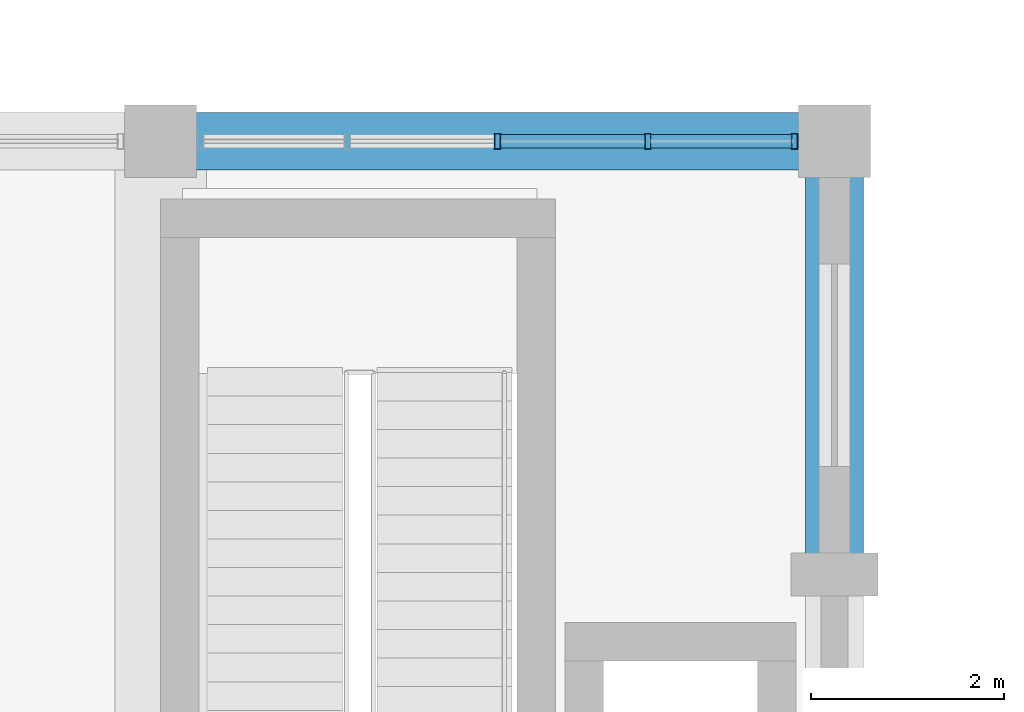
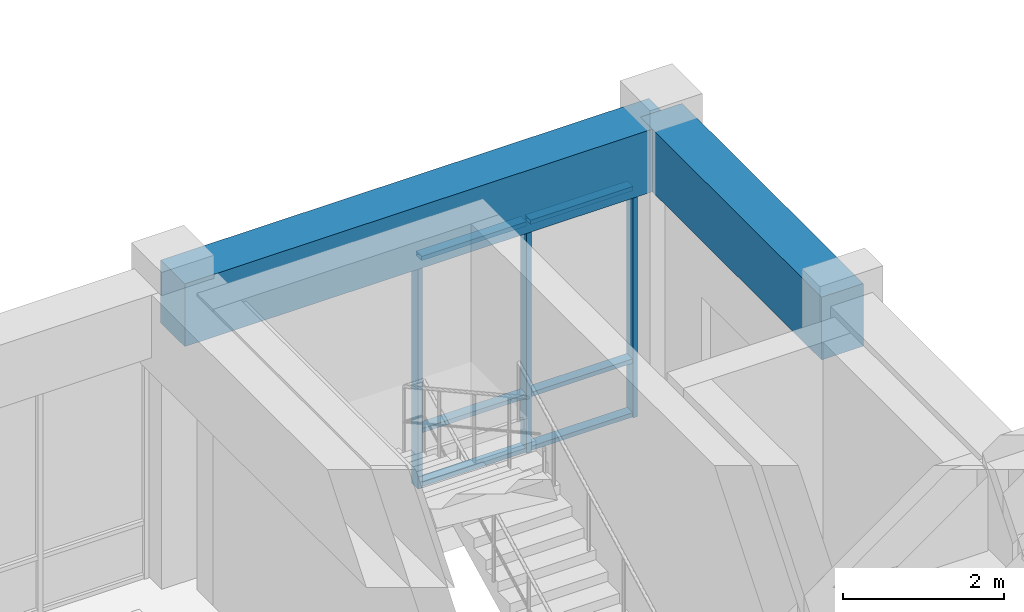
# One storey, part 61 of 104: 9 members, 2 beams, 1 element without a shape of its own.
"""IFC4 building model written with IfcOpenShell, lengths in metres."""

from ifc_helpers import new_model, si_unit, direction, frame, origin, origin_2d, place, context, subcontext, project, spatial, rectangle, hollow_rectangle, extrude, material, layer, layer_set, material_profile, profile_set, type_object, element, aggregate, save


model = new_model("IFC4")

# Units and contexts
model_context = context("Model", 3, precision=1e-05, world=origin(), true_north=direction((0.0, 1.0)))
body_context = subcontext(model_context, "Body", "Model", "MODEL_VIEW")
ifc_project = project(units=[si_unit("LENGTHUNIT", "METRE"), si_unit("AREAUNIT", "SQUARE_METRE"), si_unit("VOLUMEUNIT", "CUBIC_METRE"), si_unit("PLANEANGLEUNIT", "RADIAN"), si_unit("MASSUNIT", "GRAM", prefix="KILO")], contexts=[model_context])

# Site, building, storey
site_placement = place(None, origin())
site = spatial("IfcSite", under=ifc_project, at=site_placement, CompositionType="ELEMENT")
building_placement = place(site_placement, origin())
building = spatial("IfcBuilding", under=site, at=building_placement, Name="Ventoquebrada Cableway Terminal", CompositionType="ELEMENT")
storey_placement = place(building_placement, frame((0.0, 0.0, 4.800048828125)))
storey = spatial("IfcBuildingStorey", under=building, at=storey_placement, Name="L01", CompositionType="ELEMENT", Elevation=4.800048828125)

# Beams
ifc_material_1 = material(Name="Concrete C40/50", Category="concrete")
ifc_material_profile_1 = material_profile(ifc_material_1, rectangle(XDim=0.60009765625, YDim=0.949951171875, at=origin_2d()), Name="RC-BM-600X950")
ifc_profile_set_1 = profile_set([ifc_material_profile_1], Name="Concrete C40/50")
beam_type = type_object("IfcBeamType", Name="BM-RC05", PredefinedType="BEAM", material=ifc_profile_set_1)
beam_1_placement = place(storey_placement, frame((116.0, 104.0, 3.974853515625), z_axis=(1.0, 0.0, 0.0), x_axis=(0.0, 1.0, 0.0)))
element("IfcBeam", 1, at=beam_1_placement, inside=storey, type_object=beam_type, Name="Perimeter spandrel beam FBM-0642", PredefinedType="BEAM", context=body_context, shape_type="SweptSolid", body=[
    extrude(rectangle(XDim=0.60009765625, YDim=0.949951171875, at=origin_2d()), origin(), (0.0, 0.0, 1.0), 7.0),
])
beam_2_placement = place(storey_placement, frame((123.0, 99.5, 3.974853515625), z_axis=(0.0, 1.0, 0.0), x_axis=(-1.0, 0.0, 0.0)))
element("IfcBeam", 2, at=beam_2_placement, inside=storey, type_object=beam_type, Name="Perimeter spandrel beam FBM-0663", PredefinedType="BEAM", context=body_context, shape_type="SweptSolid", body=[
    extrude(rectangle(XDim=0.60009765625, YDim=0.949951171875, at=origin_2d()), origin(), (0.0, 0.0, 1.0), 4.5),
])

# Curtain wall, members
ifc_material_2 = material(Name="Anodized thermally-broken aluminium", Category="aluminium")
ifc_layer = layer(ifc_material_2, 0.159912109375)
ifc_layer_set = layer_set([ifc_layer], Name="Anodized thermally-broken aluminium")
curtain_wall_type = type_object("IfcCurtainWallType", Name="CW-T27", PredefinedType="USERDEFINED", material=ifc_layer_set)
curtain_wall_placement = place(storey_placement, origin())
curtain_wall = element("IfcCurtainWall", 3, at=curtain_wall_placement, inside=storey, type_object=curtain_wall_type, Name="Unitised glazed curtain wall CW-066", ObjectType="UNITISED CURTAIN WALL", PredefinedType="USERDEFINED")
ifc_material_profile_2 = material_profile(ifc_material_2, hollow_rectangle(XDim=0.06494140625, YDim=0.159912109375, WallThickness=0.00390625, at=origin_2d()), Name="CW-MUL-65X160")
ifc_profile_set_2 = profile_set([ifc_material_profile_2], Name="Anodized thermally-broken aluminium")
member_type_1 = type_object("IfcMemberType", Name="CWM-01", PredefinedType="MULLION", material=ifc_profile_set_2)
member_1_placement = place(storey_placement, frame((122.5849609375, 104.0, -0.008056640625), z_axis=(0.0, 0.0, 1.0), x_axis=(-1.0, 0.0, 0.0)))
member_1 = element("IfcMember", 4, at=member_1_placement, type_object=member_type_1, Name="Curtain wall mullion FML-0307", PredefinedType="MULLION", context=body_context, shape_type="SweptSolid", body=[
    extrude(hollow_rectangle(XDim=0.06494140625, YDim=0.159912109375, WallThickness=0.00390625, at=origin_2d()), origin(), (0.0, 0.0, 1.0), 3.508056640625),
])
member_2_placement = place(storey_placement, frame((121.06005859375, 104.0, -0.008056640625), z_axis=(0.0, 0.0, 1.0), x_axis=(-1.0, 0.0, 0.0)))
member_2 = element("IfcMember", 5, at=member_2_placement, type_object=member_type_1, Name="Curtain wall mullion FML-0308", PredefinedType="MULLION", context=body_context, shape_type="SweptSolid", body=[
    extrude(hollow_rectangle(XDim=0.06494140625, YDim=0.159912109375, WallThickness=0.00390625, at=origin_2d()), origin(), (0.0, 0.0, 1.0), 3.508056640625),
])
member_3_placement = place(storey_placement, frame((119.5, 104.0, -0.008056640625), z_axis=(0.0, 0.0, 1.0), x_axis=(-1.0, 0.0, 0.0)))
member_3 = element("IfcMember", 6, at=member_3_placement, type_object=member_type_1, Name="Curtain wall mullion FML-0309", PredefinedType="MULLION", context=body_context, shape_type="SweptSolid", body=[
    extrude(hollow_rectangle(XDim=0.06494140625, YDim=0.159912109375, WallThickness=0.00390625, at=origin_2d()), origin(), (0.0, 0.0, 1.0), 3.508056640625),
])
ifc_material_profile_3 = material_profile(ifc_material_2, hollow_rectangle(XDim=0.06494140625, YDim=0.139892578125, WallThickness=0.00390625, at=origin_2d()), Name="CW-TRN-65X140")
ifc_profile_set_3 = profile_set([ifc_material_profile_3], Name="Anodized thermally-broken aluminium")
member_type_2 = type_object("IfcMemberType", Name="CWT-01", PredefinedType="USERDEFINED", material=ifc_profile_set_3)
member_4_placement = place(storey_placement, frame((122.55810546875, 104.0, 0.034912109375), z_axis=(-1.0, 0.0, 0.0), x_axis=(0.0, 0.0, 1.0)))
member_4 = element("IfcMember", 7, at=member_4_placement, type_object=member_type_2, Name="Curtain wall transom FTR-0898", ObjectType="TRANSOM", PredefinedType="USERDEFINED", context=body_context, shape_type="SweptSolid", body=[
    extrude(hollow_rectangle(XDim=0.06494140625, YDim=0.139892578125, WallThickness=0.00390625, at=origin_2d()), origin(), (0.0, 0.0, 1.0), 1.47021484375),
])
member_5_placement = place(storey_placement, frame((122.55810546875, 104.0, 0.849853515625), z_axis=(-1.0, 0.0, 0.0), x_axis=(0.0, 0.0, 1.0)))
member_5 = element("IfcMember", 8, at=member_5_placement, type_object=member_type_2, Name="Curtain wall transom FTR-0899", ObjectType="TRANSOM", PredefinedType="USERDEFINED", context=body_context, shape_type="SweptSolid", body=[
    extrude(hollow_rectangle(XDim=0.06494140625, YDim=0.139892578125, WallThickness=0.00390625, at=origin_2d()), origin(), (0.0, 0.0, 1.0), 1.47021484375),
])
member_6_placement = place(storey_placement, frame((122.55810546875, 104.0, 3.4599609375), z_axis=(-1.0, 0.0, 0.0), x_axis=(0.0, 0.0, 1.0)))
member_6 = element("IfcMember", 9, at=member_6_placement, type_object=member_type_2, Name="Curtain wall transom FTR-0900", ObjectType="TRANSOM", PredefinedType="USERDEFINED", context=body_context, shape_type="SweptSolid", body=[
    extrude(hollow_rectangle(XDim=0.06494140625, YDim=0.139892578125, WallThickness=0.00390625, at=origin_2d()), origin(), (0.0, 0.0, 1.0), 1.47021484375),
])
member_7_placement = place(storey_placement, frame((121.031982421875, 104.0, 0.034912109375), z_axis=(-1.0, 0.0, 0.0), x_axis=(0.0, 0.0, 1.0)))
member_7 = element("IfcMember", 10, at=member_7_placement, type_object=member_type_2, Name="Curtain wall transom FTR-0901", ObjectType="TRANSOM", PredefinedType="USERDEFINED", context=body_context, shape_type="SweptSolid", body=[
    extrude(hollow_rectangle(XDim=0.06494140625, YDim=0.139892578125, WallThickness=0.00390625, at=origin_2d()), origin(), (0.0, 0.0, 1.0), 1.50390625),
])
member_8_placement = place(storey_placement, frame((121.031982421875, 104.0, 0.849853515625), z_axis=(-1.0, 0.0, 0.0), x_axis=(0.0, 0.0, 1.0)))
member_8 = element("IfcMember", 11, at=member_8_placement, type_object=member_type_2, Name="Curtain wall transom FTR-0902", ObjectType="TRANSOM", PredefinedType="USERDEFINED", context=body_context, shape_type="SweptSolid", body=[
    extrude(hollow_rectangle(XDim=0.06494140625, YDim=0.139892578125, WallThickness=0.00390625, at=origin_2d()), origin(), (0.0, 0.0, 1.0), 1.50390625),
])
member_9_placement = place(storey_placement, frame((121.031982421875, 104.0, 3.4599609375), z_axis=(-1.0, 0.0, 0.0), x_axis=(0.0, 0.0, 1.0)))
member_9 = element("IfcMember", 12, at=member_9_placement, type_object=member_type_2, Name="Curtain wall transom FTR-0903", ObjectType="TRANSOM", PredefinedType="USERDEFINED", context=body_context, shape_type="SweptSolid", body=[
    extrude(hollow_rectangle(XDim=0.06494140625, YDim=0.139892578125, WallThickness=0.00390625, at=origin_2d()), origin(), (0.0, 0.0, 1.0), 1.50390625),
])
aggregate(curtain_wall, [member_1, member_2, member_3, member_4, member_5, member_6, member_7, member_8, member_9])

save(model, "model.ifc")
